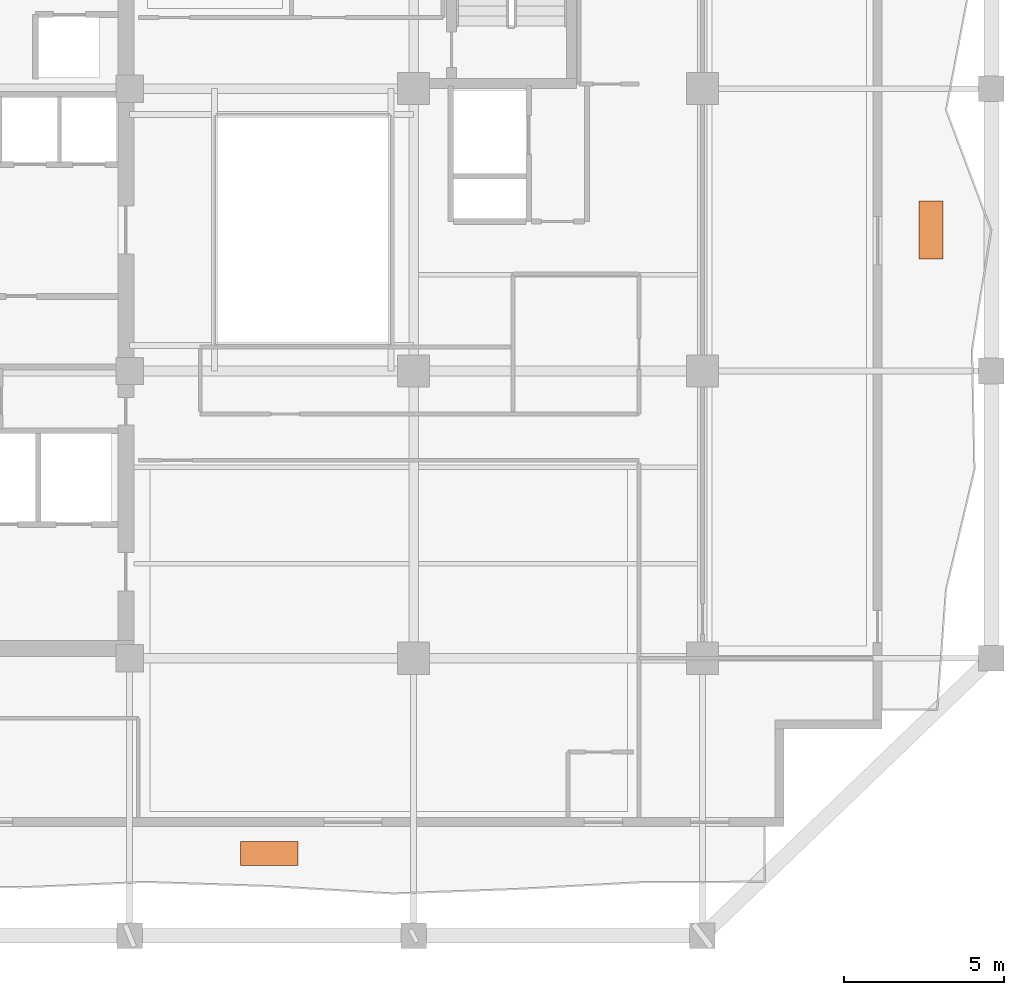
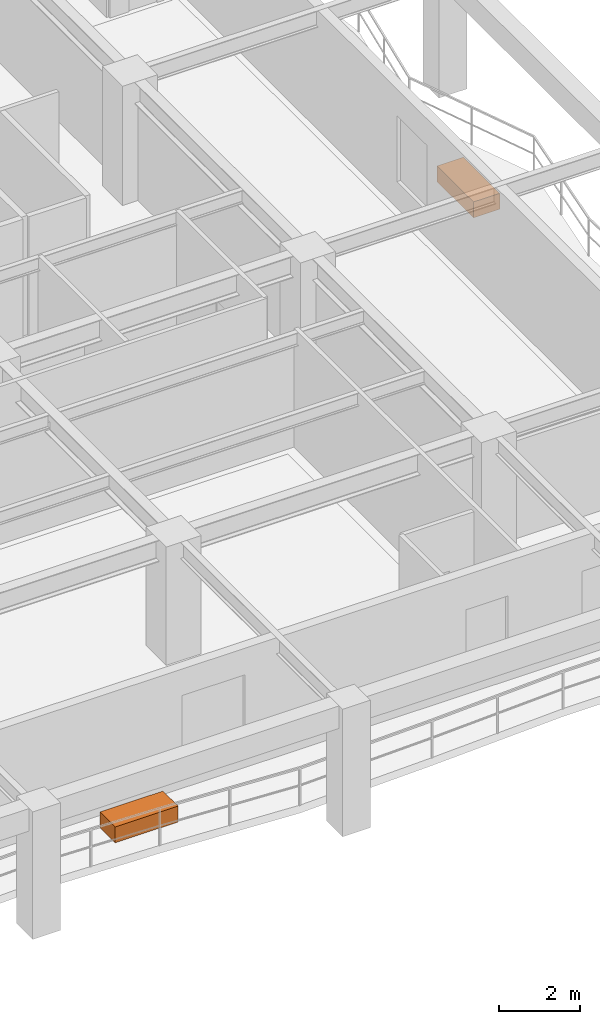
# One storey, part 10 of 10: 2 proxies.
"""IFC4 building model written with IfcOpenShell, lengths in metres."""

from ifc_helpers import new_model, si_unit, direction, frame, origin, origin_2d, place, context, subcontext, project, spatial, rectangle, extrude, material, type_object, element, save


model = new_model("IFC4")

# Units and contexts
model_context = context("Model", 3, precision=1e-05, world=origin(), true_north=direction((0.0, 1.0)))
body_context = subcontext(model_context, "Body", "Model", "MODEL_VIEW")
ifc_project = project(units=[si_unit("LENGTHUNIT", "METRE"), si_unit("AREAUNIT", "SQUARE_METRE"), si_unit("VOLUMEUNIT", "CUBIC_METRE"), si_unit("PLANEANGLEUNIT", "RADIAN"), si_unit("MASSUNIT", "GRAM", prefix="KILO")], contexts=[model_context])

# Site, building, storey
site_placement = place(None, origin())
site = spatial("IfcSite", under=ifc_project, at=site_placement, CompositionType="ELEMENT")
building_placement = place(site_placement, origin())
building = spatial("IfcBuilding", under=site, at=building_placement, Name="Kundavana Baori Tower", CompositionType="ELEMENT")
storey_placement = place(building_placement, frame((0.0, 0.0, 111.699951171875)))
storey = spatial("IfcBuildingStorey", under=building, at=storey_placement, Name="L26", CompositionType="ELEMENT", Elevation=111.699951171875)

# Proxies
ifc_material = material(Name="Red-Buff Dholpur Sandstone Cladding on Concrete C40/50", Category="masonry")
building_element_proxy_type = type_object("IfcBuildingElementProxyType", Name="PRX-PLANTER-1800", PredefinedType="USERDEFINED", material=ifc_material)
for number, where, z_axis, x_axis, name in (
    (1, (29.300048828125, 9.1650390625, 0.0), (0.0, 0.0, 1.0), (1.0, 0.0, 0.0), "L26 Dholpur Stone Structural Tree Planter S"),
    (2, (49.929931640625, 28.60009765625, 0.0), (0.0, 0.0, 1.0), (0.0, 1.0, 0.0), "L26 Dholpur Stone Structural Tree Planter E"),
):
    element("IfcBuildingElementProxy", number, at=place(storey_placement, frame(where, z_axis=z_axis, x_axis=x_axis)), inside=storey, type_object=building_element_proxy_type, Name=name, ObjectType="PLANTER", PredefinedType="USERDEFINED", context=body_context, shape_type="SweptSolid", body=[
        extrude(rectangle(XDim=1.800048828125, YDim=0.75, at=origin_2d()), origin(), (0.0, 0.0, 1.0), 0.47998046875),
    ])

save(model, "model.ifc")
